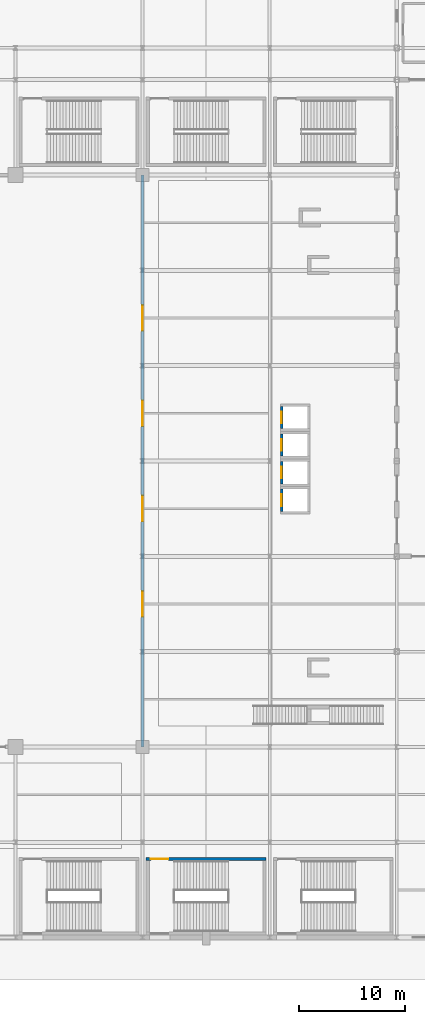
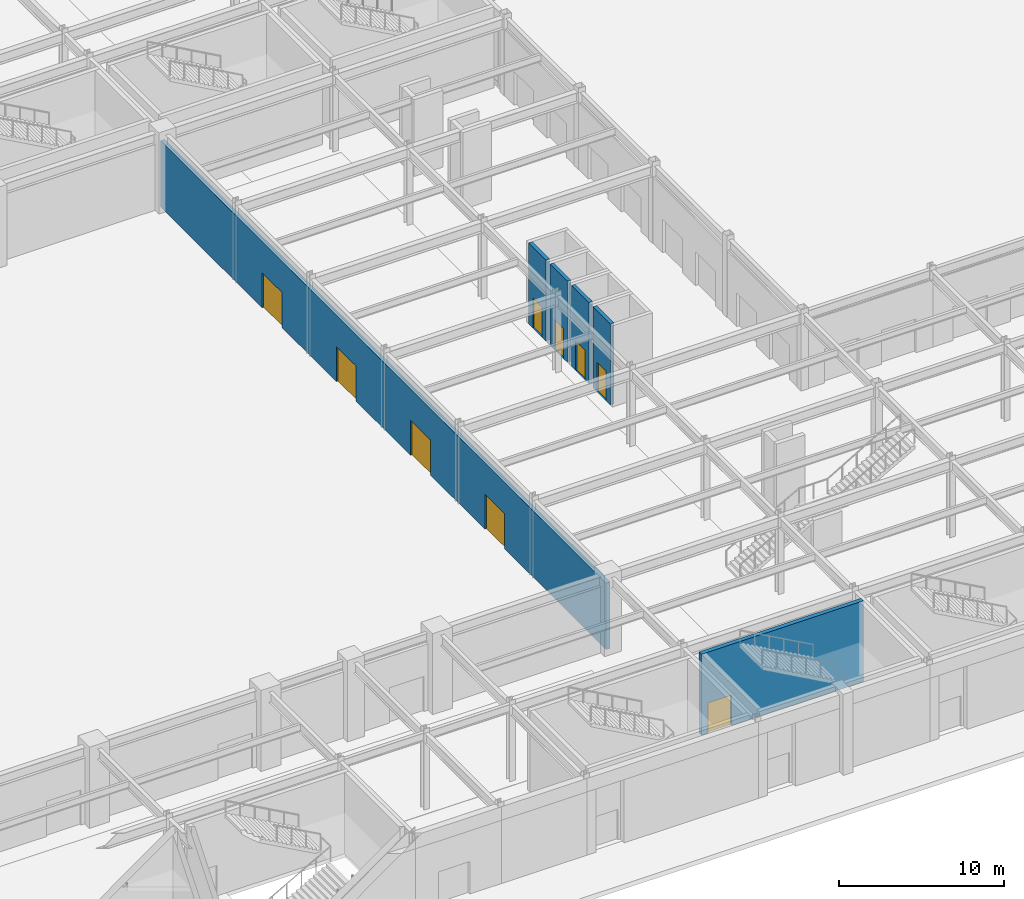
# One storey, part 23 of 44: 9 doors, 6 walls, 9 openings.
"""IFC4 building model written with IfcOpenShell, lengths in metres."""

from ifc_helpers import new_model, si_unit, direction, frame, frame_2d, origin, place, context, subcontext, project, spatial, rectangle, extrude, material, layer, layer_set, type_object, element, fill, save


model = new_model("IFC4")

# Units and contexts
model_context = context("Model", 3, precision=1e-05, world=origin(), true_north=direction((0.0, 1.0)))
body_context = subcontext(model_context, "Body", "Model", "MODEL_VIEW")
ifc_project = project(units=[si_unit("LENGTHUNIT", "METRE"), si_unit("AREAUNIT", "SQUARE_METRE"), si_unit("VOLUMEUNIT", "CUBIC_METRE"), si_unit("PLANEANGLEUNIT", "RADIAN"), si_unit("MASSUNIT", "GRAM", prefix="KILO")], contexts=[model_context])

# Site, building, storey
site_placement = place(None, origin())
site = spatial("IfcSite", under=ifc_project, at=site_placement, CompositionType="ELEMENT")
building_placement = place(site_placement, origin())
building = spatial("IfcBuilding", under=site, at=building_placement, Name="Kaldorvane Square Convention Centre", CompositionType="ELEMENT")
storey_placement = place(building_placement, origin())
storey = spatial("IfcBuildingStorey", under=building, at=storey_placement, Name="L00", CompositionType="ELEMENT", Elevation=0.0)

# Wall, openings, doors
ifc_material_1 = material(Name="Reinforced Concrete Masonry Acoustic Partition", Category="masonry")
ifc_layer_1 = layer(ifc_material_1, 0.279998779296875)
ifc_layer_set_1 = layer_set([ifc_layer_1], Name="Reinforced Concrete Masonry Acoustic Partition")
wall_type_1 = type_object("IfcWallType", Name="WL-ACO-280", PredefinedType="PARTITIONING", material=ifc_layer_set_1)
wall_1_placement = place(storey_placement, frame((114.0, 18.0, 0.0), z_axis=(0.0, 0.0, 1.0), x_axis=(0.0, 1.0, 0.0)))
wall_1 = element("IfcWall", 1, at=wall_1_placement, inside=storey, type_object=wall_type_1, Name="Exhibition Hall E Enclosure Wall (L00)", PredefinedType="PARTITIONING", context=body_context, shape_type="SweptSolid", body=[
    extrude(rectangle(XDim=54.0, YDim=0.279998779296875, at=frame_2d((27.0, 0.0))), origin(), (0.0, 0.0, 1.0), 4.912994384765625),
])
opening_1_placement = place(wall_1_placement, frame((12.300003051757812, 0.0, 0.0)))
opening_1 = element("IfcOpeningElement", 2, at=opening_1_placement, cuts=wall_1, Name="Opening ID-01", PredefinedType="OPENING", context=body_context, shape_type="SweptSolid", body=[
    extrude(rectangle(XDim=2.399993896484375, YDim=2.600006103515625, at=frame_2d((1.1999969482421875, 1.3000030517578125))), frame((0.0, 0.154998779296875, 0.0), z_axis=(0.0, -1.0, 0.0), x_axis=(1.0, 0.0, 0.0)), (0.0, 0.0, 1.0), 0.30999755859375),
])
opening_2_placement = place(wall_1_placement, frame((21.300003051757812, 0.0, 0.0)))
opening_2 = element("IfcOpeningElement", 3, at=opening_2_placement, cuts=wall_1, Name="Opening ID-01", PredefinedType="OPENING", context=body_context, shape_type="SweptSolid", body=[
    extrude(rectangle(XDim=2.399993896484375, YDim=2.600006103515625, at=frame_2d((1.1999969482421875, 1.3000030517578125))), frame((0.0, 0.154998779296875, 0.0), z_axis=(0.0, -1.0, 0.0), x_axis=(1.0, 0.0, 0.0)), (0.0, 0.0, 1.0), 0.30999755859375),
])
opening_3_placement = place(wall_1_placement, frame((30.300003051757812, 0.0, 0.0)))
opening_3 = element("IfcOpeningElement", 4, at=opening_3_placement, cuts=wall_1, Name="Opening ID-01", PredefinedType="OPENING", context=body_context, shape_type="SweptSolid", body=[
    extrude(rectangle(XDim=2.399993896484375, YDim=2.600006103515625, at=frame_2d((1.1999969482421875, 1.3000030517578125))), frame((0.0, 0.154998779296875, 0.0), z_axis=(0.0, -1.0, 0.0), x_axis=(1.0, 0.0, 0.0)), (0.0, 0.0, 1.0), 0.30999755859375),
])
opening_4_placement = place(wall_1_placement, frame((39.30000305175781, 0.0, 0.0)))
opening_4 = element("IfcOpeningElement", 5, at=opening_4_placement, cuts=wall_1, Name="Opening ID-01", PredefinedType="OPENING", context=body_context, shape_type="SweptSolid", body=[
    extrude(rectangle(XDim=2.399993896484375, YDim=2.600006103515625, at=frame_2d((1.1999969482421875, 1.3000030517578125))), frame((0.0, 0.154998779296875, 0.0), z_axis=(0.0, -1.0, 0.0), x_axis=(1.0, 0.0, 0.0)), (0.0, 0.0, 1.0), 0.30999755859375),
])
ifc_material_2 = material(Name="Insulated Hollow Metal Steel", Category="steel")
door_type_1 = type_object("IfcDoorType", Name="DR-HALL-2400X2600", OperationType="DOUBLE_DOOR_SINGLE_SWING", PredefinedType="DOOR", material=ifc_material_2)
door_1_placement = place(opening_1_placement, origin())
door_1 = element("IfcDoor", 6, at=door_1_placement, inside=storey, type_object=door_type_1, Name="Exhibition Hall E Portal Door 1", OperationType="DOUBLE_DOOR_SINGLE_SWING", OverallHeight=2.600006103515625, OverallWidth=2.399993896484375, PredefinedType="DOOR", context=body_context, shape_type="SweptSolid", body=[
    extrude(rectangle(XDim=2.399993896484375, YDim=2.600006103515625, at=frame_2d((1.1999969482421875, 1.3000030517578125))), frame((0.0, 0.024993896484375, 0.0), z_axis=(0.0, -1.0, 0.0), x_axis=(1.0, 0.0, 0.0)), (0.0, 0.0, 1.0), 0.0500030517578125),
])
fill(opening_1, door_1)
door_2_placement = place(opening_2_placement, origin())
door_2 = element("IfcDoor", 7, at=door_2_placement, inside=storey, type_object=door_type_1, Name="Exhibition Hall E Portal Door 2", OperationType="DOUBLE_DOOR_SINGLE_SWING", OverallHeight=2.600006103515625, OverallWidth=2.399993896484375, PredefinedType="DOOR", context=body_context, shape_type="SweptSolid", body=[
    extrude(rectangle(XDim=2.399993896484375, YDim=2.600006103515625, at=frame_2d((1.1999969482421875, 1.3000030517578125))), frame((0.0, 0.024993896484375, 0.0), z_axis=(0.0, -1.0, 0.0), x_axis=(1.0, 0.0, 0.0)), (0.0, 0.0, 1.0), 0.0500030517578125),
])
fill(opening_2, door_2)
door_3_placement = place(opening_3_placement, origin())
door_3 = element("IfcDoor", 8, at=door_3_placement, inside=storey, type_object=door_type_1, Name="Exhibition Hall E Portal Door 3", OperationType="DOUBLE_DOOR_SINGLE_SWING", OverallHeight=2.600006103515625, OverallWidth=2.399993896484375, PredefinedType="DOOR", context=body_context, shape_type="SweptSolid", body=[
    extrude(rectangle(XDim=2.399993896484375, YDim=2.600006103515625, at=frame_2d((1.1999969482421875, 1.3000030517578125))), frame((0.0, 0.024993896484375, 0.0), z_axis=(0.0, -1.0, 0.0), x_axis=(1.0, 0.0, 0.0)), (0.0, 0.0, 1.0), 0.0500030517578125),
])
fill(opening_3, door_3)
door_4_placement = place(opening_4_placement, origin())
door_4 = element("IfcDoor", 9, at=door_4_placement, inside=storey, type_object=door_type_1, Name="Exhibition Hall E Portal Door 4", OperationType="DOUBLE_DOOR_SINGLE_SWING", OverallHeight=2.600006103515625, OverallWidth=2.399993896484375, PredefinedType="DOOR", context=body_context, shape_type="SweptSolid", body=[
    extrude(rectangle(XDim=2.399993896484375, YDim=2.600006103515625, at=frame_2d((1.1999969482421875, 1.3000030517578125))), frame((0.0, 0.024993896484375, 0.0), z_axis=(0.0, -1.0, 0.0), x_axis=(1.0, 0.0, 0.0)), (0.0, 0.0, 1.0), 0.0500030517578125),
])
fill(opening_4, door_4)

# Wall, opening, door
ifc_material_3 = material(Name="Concrete f'c = 55 MPa (Normalweight)", Category="concrete")
ifc_layer_2 = layer(ifc_material_3, 0.3000030517578125)
ifc_layer_set_2 = layer_set([ifc_layer_2], Name="Concrete f'c = 55 MPa (Normalweight)")
wall_type_2 = type_object("IfcWallType", Name="WL-SHAFT-300", PredefinedType="SHEAR", material=ifc_layer_set_2)
wall_2_placement = place(storey_placement, frame((125.66000366210938, 7.410003662109375, 0.0), z_axis=(0.0, 0.0, 1.0), x_axis=(-1.0, 0.0, 0.0)))
wall_2 = element("IfcWall", 10, at=wall_2_placement, inside=storey, type_object=wall_type_2, Name="Core Enclosure Wall stair:ST-C9-N (L00)", PredefinedType="SHEAR", context=body_context, shape_type="SweptSolid", body=[
    extrude(rectangle(XDim=11.32000732421875, YDim=0.3000030517578125, at=frame_2d((5.660003662109375, 0.0))), origin(), (0.0, 0.0, 1.0), 6.0),
])
opening_5_placement = place(wall_2_placement, frame((9.220001220703125, 0.0, 0.0)))
opening_5 = element("IfcOpeningElement", 11, at=opening_5_placement, cuts=wall_2, Name="Opening FD90-S2", PredefinedType="OPENING", context=body_context, shape_type="SweptSolid", body=[
    extrude(rectangle(XDim=1.649993896484375, YDim=2.25, at=frame_2d((0.8249969482421875, 1.125))), frame((0.0, 0.165008544921875, 0.0), z_axis=(0.0, -1.0, 0.0), x_axis=(1.0, 0.0, 0.0)), (0.0, 0.0, 1.0), 0.3300018310546875),
])
ifc_material_4 = material(Name="Fire-Rated Hollow Metal Steel", Category="steel")
door_type_2 = type_object("IfcDoorType", Name="DR-STAIR-1650", OperationType="DOUBLE_DOOR_SINGLE_SWING", PredefinedType="DOOR", material=ifc_material_4)
door_5_placement = place(opening_5_placement, origin())
door_5 = element("IfcDoor", 12, at=door_5_placement, inside=storey, type_object=door_type_2, Name="Convention Exit Stair C9 Fire Door (L00)", OperationType="DOUBLE_DOOR_SINGLE_SWING", OverallHeight=2.25, OverallWidth=1.649993896484375, PredefinedType="DOOR", context=body_context, shape_type="SweptSolid", body=[
    extrude(rectangle(XDim=1.649993896484375, YDim=2.25, at=frame_2d((0.8249969482421875, 1.125))), frame((0.0, 0.024993896484375, 0.0), z_axis=(0.0, -1.0, 0.0), x_axis=(1.0, 0.0, 0.0)), (0.0, 0.0, 1.0), 0.0500030517578125),
])
fill(opening_5, door_5)

wall_3_placement = place(storey_placement, frame((127.125, 42.350006103515625, 0.0), z_axis=(0.0, 0.0, 1.0), x_axis=(0.0, -1.0, 0.0)))
wall_3 = element("IfcWall", 13, at=wall_3_placement, inside=storey, type_object=wall_type_2, Name="Core Enclosure Wall lift:EL-C1-W (L00)", PredefinedType="SHEAR", context=body_context, shape_type="SweptSolid", body=[
    extrude(rectangle(XDim=2.100006103515625, YDim=0.25, at=frame_2d((1.0500030517578125, 0.0))), origin(), (0.0, 0.0, 1.0), 6.0),
])
opening_6_placement = place(wall_3_placement, frame((0.5, 0.0, 0.0)))
opening_6 = element("IfcOpeningElement", 14, at=opening_6_placement, cuts=wall_3, Name="Opening LD-01", PredefinedType="OPENING", context=body_context, shape_type="SweptSolid", body=[
    extrude(rectangle(XDim=1.100006103515625, YDim=2.1999969482421875, at=frame_2d((0.5500030517578125, 1.100006103515625))), frame((0.0, 0.1399993896484375, 0.0), z_axis=(0.0, -1.0, 0.0), x_axis=(1.0, 0.0, 0.0)), (0.0, 0.0, 1.0), 0.279998779296875),
])
ifc_material_5 = material(Name="Stainless Steel Elevator Door Assembly", Category="steel")
door_type_3 = type_object("IfcDoorType", Name="DR-LIFT-1100", OperationType="DOUBLE_DOOR_SLIDING", PredefinedType="DOOR", material=ifc_material_5)
door_6_placement = place(opening_6_placement, origin())
door_6 = element("IfcDoor", 15, at=door_6_placement, inside=storey, type_object=door_type_3, Name="Elevator Landing Door EL-C1 (L00)", OperationType="DOUBLE_DOOR_SLIDING", OverallHeight=2.1999969482421875, OverallWidth=1.100006103515625, PredefinedType="DOOR", context=body_context, shape_type="SweptSolid", body=[
    extrude(rectangle(XDim=1.100006103515625, YDim=2.1999969482421875, at=frame_2d((0.5500030517578125, 1.100006103515625))), frame((0.0, 0.024993896484375, 0.0), z_axis=(0.0, -1.0, 0.0), x_axis=(1.0, 0.0, 0.0)), (0.0, 0.0, 1.0), 0.0500030517578125),
])
fill(opening_6, door_6)

wall_4_placement = place(storey_placement, frame((127.125, 44.94999694824219, 0.0), z_axis=(0.0, 0.0, 1.0), x_axis=(0.0, -1.0, 0.0)))
wall_4 = element("IfcWall", 16, at=wall_4_placement, inside=storey, type_object=wall_type_2, Name="Core Enclosure Wall lift:EL-C2-W (L00)", PredefinedType="SHEAR", context=body_context, shape_type="SweptSolid", body=[
    extrude(rectangle(XDim=2.0999908447265625, YDim=0.25, at=frame_2d((1.04998779296875, 0.0))), origin(), (0.0, 0.0, 1.0), 6.0),
])
opening_7_placement = place(wall_4_placement, frame((0.5, 0.0, 0.0)))
opening_7 = element("IfcOpeningElement", 17, at=opening_7_placement, cuts=wall_4, Name="Opening LD-01", PredefinedType="OPENING", context=body_context, shape_type="SweptSolid", body=[
    extrude(rectangle(XDim=1.100006103515625, YDim=2.1999969482421875, at=frame_2d((0.5500030517578125, 1.100006103515625))), frame((0.0, 0.1399993896484375, 0.0), z_axis=(0.0, -1.0, 0.0), x_axis=(1.0, 0.0, 0.0)), (0.0, 0.0, 1.0), 0.279998779296875),
])
door_7_placement = place(opening_7_placement, origin())
door_7 = element("IfcDoor", 18, at=door_7_placement, inside=storey, type_object=door_type_3, Name="Elevator Landing Door EL-C2 (L00)", OperationType="DOUBLE_DOOR_SLIDING", OverallHeight=2.1999969482421875, OverallWidth=1.100006103515625, PredefinedType="DOOR", context=body_context, shape_type="SweptSolid", body=[
    extrude(rectangle(XDim=1.100006103515625, YDim=2.1999969482421875, at=frame_2d((0.5500030517578125, 1.100006103515625))), frame((0.0, 0.024993896484375, 0.0), z_axis=(0.0, -1.0, 0.0), x_axis=(1.0, 0.0, 0.0)), (0.0, 0.0, 1.0), 0.0500030517578125),
])
fill(opening_7, door_7)

wall_5_placement = place(storey_placement, frame((127.125, 47.55000305175781, 0.0), z_axis=(0.0, 0.0, 1.0), x_axis=(0.0, -1.0, 0.0)))
wall_5 = element("IfcWall", 19, at=wall_5_placement, inside=storey, type_object=wall_type_2, Name="Core Enclosure Wall lift:EL-C3-W (L00)", PredefinedType="SHEAR", context=body_context, shape_type="SweptSolid", body=[
    extrude(rectangle(XDim=2.100006103515625, YDim=0.25, at=frame_2d((1.0500030517578125, 0.0))), origin(), (0.0, 0.0, 1.0), 6.0),
])
opening_8_placement = place(wall_5_placement, frame((0.5, 0.0, 0.0)))
opening_8 = element("IfcOpeningElement", 20, at=opening_8_placement, cuts=wall_5, Name="Opening LD-01", PredefinedType="OPENING", context=body_context, shape_type="SweptSolid", body=[
    extrude(rectangle(XDim=1.100006103515625, YDim=2.1999969482421875, at=frame_2d((0.5500030517578125, 1.100006103515625))), frame((0.0, 0.1399993896484375, 0.0), z_axis=(0.0, -1.0, 0.0), x_axis=(1.0, 0.0, 0.0)), (0.0, 0.0, 1.0), 0.279998779296875),
])
door_8_placement = place(opening_8_placement, origin())
door_8 = element("IfcDoor", 21, at=door_8_placement, inside=storey, type_object=door_type_3, Name="Elevator Landing Door EL-C3 (L00)", OperationType="DOUBLE_DOOR_SLIDING", OverallHeight=2.1999969482421875, OverallWidth=1.100006103515625, PredefinedType="DOOR", context=body_context, shape_type="SweptSolid", body=[
    extrude(rectangle(XDim=1.100006103515625, YDim=2.1999969482421875, at=frame_2d((0.5500030517578125, 1.100006103515625))), frame((0.0, 0.024993896484375, 0.0), z_axis=(0.0, -1.0, 0.0), x_axis=(1.0, 0.0, 0.0)), (0.0, 0.0, 1.0), 0.0500030517578125),
])
fill(opening_8, door_8)

wall_6_placement = place(storey_placement, frame((127.125, 50.149993896484375, 0.0), z_axis=(0.0, 0.0, 1.0), x_axis=(0.0, -1.0, 0.0)))
wall_6 = element("IfcWall", 22, at=wall_6_placement, inside=storey, type_object=wall_type_2, Name="Core Enclosure Wall lift:EL-C4-W (L00)", PredefinedType="SHEAR", context=body_context, shape_type="SweptSolid", body=[
    extrude(rectangle(XDim=2.0999908447265625, YDim=0.25, at=frame_2d((1.04998779296875, 0.0))), origin(), (0.0, 0.0, 1.0), 6.0),
])
opening_9_placement = place(wall_6_placement, frame((0.5, 0.0, 0.0)))
opening_9 = element("IfcOpeningElement", 23, at=opening_9_placement, cuts=wall_6, Name="Opening LD-01", PredefinedType="OPENING", context=body_context, shape_type="SweptSolid", body=[
    extrude(rectangle(XDim=1.100006103515625, YDim=2.1999969482421875, at=frame_2d((0.5500030517578125, 1.100006103515625))), frame((0.0, 0.1399993896484375, 0.0), z_axis=(0.0, -1.0, 0.0), x_axis=(1.0, 0.0, 0.0)), (0.0, 0.0, 1.0), 0.279998779296875),
])
door_9_placement = place(opening_9_placement, origin())
door_9 = element("IfcDoor", 24, at=door_9_placement, inside=storey, type_object=door_type_3, Name="Elevator Landing Door EL-C4 (L00)", OperationType="DOUBLE_DOOR_SLIDING", OverallHeight=2.1999969482421875, OverallWidth=1.100006103515625, PredefinedType="DOOR", context=body_context, shape_type="SweptSolid", body=[
    extrude(rectangle(XDim=1.100006103515625, YDim=2.1999969482421875, at=frame_2d((0.5500030517578125, 1.100006103515625))), frame((0.0, 0.024993896484375, 0.0), z_axis=(0.0, -1.0, 0.0), x_axis=(1.0, 0.0, 0.0)), (0.0, 0.0, 1.0), 0.0500030517578125),
])
fill(opening_9, door_9)

save(model, "model.ifc")
